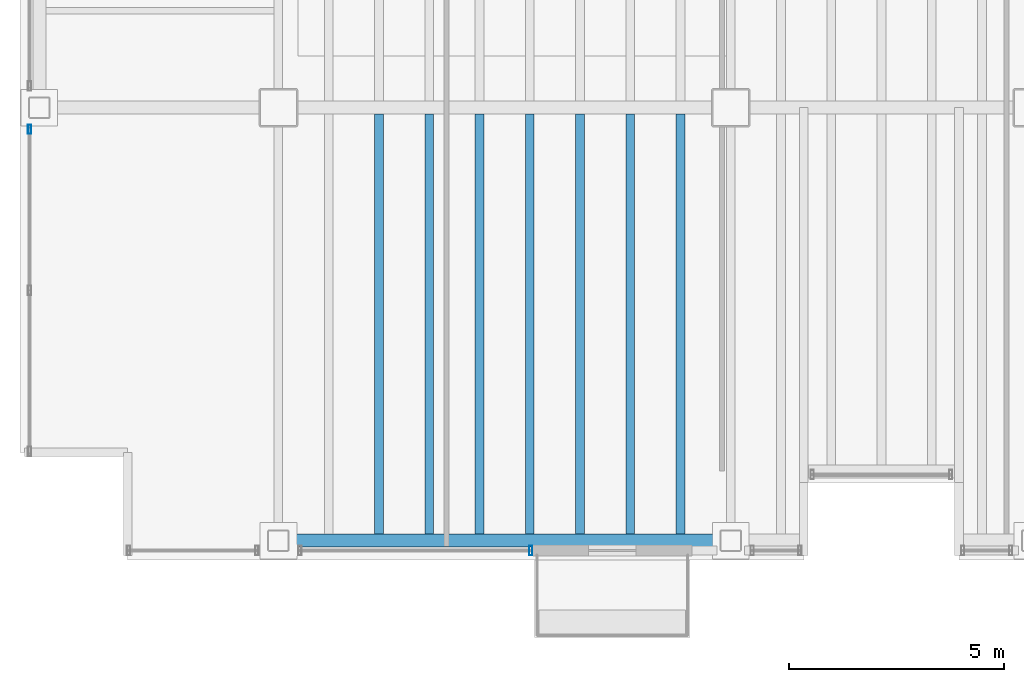
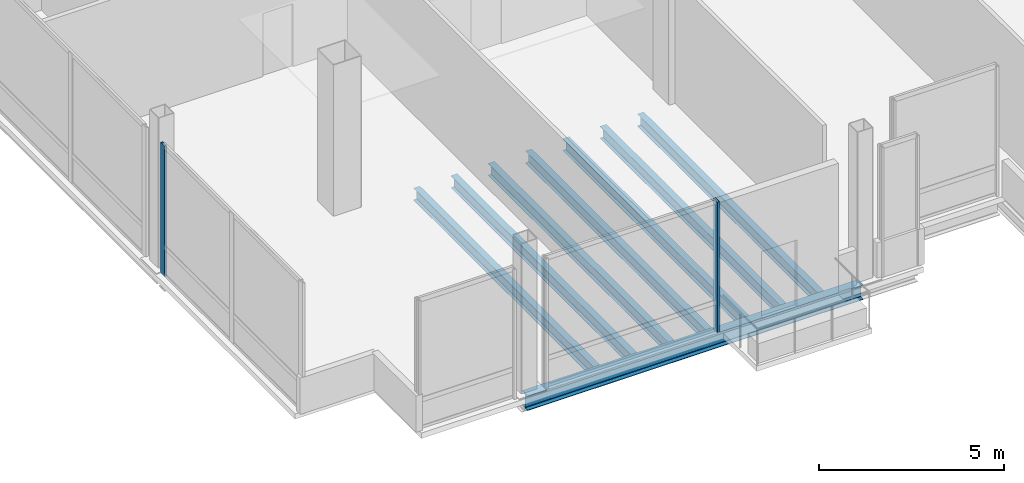
# One storey, part 3 of 22: 8 beams, 2 members, 2 elements without a shape of their own.
"""IFC4 building model written with IfcOpenShell, lengths in metres."""

from ifc_helpers import new_model, si_unit, direction, frame, origin, origin_2d, place, context, subcontext, project, spatial, hollow_rectangle, i_section, extrude, material, material_profile, profile_set, type_object, element, aggregate, save


model = new_model("IFC4")

# Units and contexts
model_context = context("Model", 3, precision=1e-05, world=origin(), true_north=direction((0.0, 1.0)))
body_context = subcontext(model_context, "Body", "Model", "MODEL_VIEW")
ifc_project = project(units=[si_unit("LENGTHUNIT", "METRE"), si_unit("AREAUNIT", "SQUARE_METRE"), si_unit("VOLUMEUNIT", "CUBIC_METRE"), si_unit("PLANEANGLEUNIT", "RADIAN"), si_unit("MASSUNIT", "GRAM", prefix="KILO")], contexts=[model_context])

# Site, building, storey
site_placement = place(None, origin())
site = spatial("IfcSite", under=ifc_project, at=site_placement, CompositionType="ELEMENT")
building_placement = place(site_placement, origin())
building = spatial("IfcBuilding", under=site, at=building_placement, Name="Noeulbin Bourse Tower", CompositionType="ELEMENT")
storey_placement = place(building_placement, frame((0.0, 0.0, 106.0)))
storey = spatial("IfcBuildingStorey", under=building, at=storey_placement, Name="L26", CompositionType="ELEMENT", Elevation=106.0)

# Beams
ifc_material_1 = material(Name="Steel S355", Category="steel")
ifc_material_profile_1 = material_profile(ifc_material_1, i_section(OverallWidth=0.199951171875, OverallDepth=0.39990234375, WebThickness=0.008056640625, FlangeThickness=0.012939453125, FilletRadius=0.01611328125, at=origin_2d()), Name="H-400x200x8x13", Category="LoadBearing")
ifc_profile_set_1 = profile_set([ifc_material_profile_1], Name="Steel S355")
beam_type_1 = type_object("IfcBeamType", Name="BM-SEC-400", PredefinedType="BEAM", material=ifc_profile_set_1)
for number, where, z_axis, x_axis, name in (
    (1, (15.833251953125, 10.10009765625, -0.3798828125), (0.0, 1.0, 0.0), (-1.0, 0.0, 0.0), "Tower Composite Joist L26-04"),
    (2, (17.0, 10.10009765625, -0.3798828125), (0.0, 1.0, 0.0), (-1.0, 0.0, 0.0), "Tower Composite Joist L26-07"),
    (3, (18.166748046875, 10.10009765625, -0.3798828125), (0.0, 1.0, 0.0), (-1.0, 0.0, 0.0), "Tower Composite Joist L26-10"),
    (4, (19.333251953125, 10.10009765625, -0.3798828125), (0.0, 1.0, 0.0), (-1.0, 0.0, 0.0), "Tower Composite Joist L26-13"),
    (5, (20.5, 10.10009765625, -0.3798828125), (0.0, 1.0, 0.0), (-1.0, 0.0, 0.0), "Tower Composite Joist L26-16"),
    (6, (21.666748046875, 10.10009765625, -0.3798828125), (0.0, 1.0, 0.0), (-1.0, 0.0, 0.0), "Tower Composite Joist L26-19"),
    (7, (22.833251953125, 10.10009765625, -0.3798828125), (0.0, 1.0, 0.0), (-1.0, 0.0, 0.0), "Tower Composite Joist L26-22"),
):
    element("IfcBeam", number, at=place(storey_placement, frame(where, z_axis=z_axis, x_axis=x_axis)), inside=storey, type_object=beam_type_1, Name=name, PredefinedType="BEAM", context=body_context, shape_type="SweptSolid", body=[
        extrude(i_section(OverallWidth=0.199951171875, OverallDepth=0.39990234375, WebThickness=0.008056640625, FlangeThickness=0.012939453125, FilletRadius=0.01611328125, at=origin_2d()), origin(), (0.0, 0.0, 1.0), 9.75),
    ])
ifc_material_profile_2 = material_profile(ifc_material_1, i_section(OverallWidth=0.300048828125, OverallDepth=0.488037109375, WebThickness=0.010986328125, FlangeThickness=0.01806640625, FilletRadius=0.02197265625, at=origin_2d()), Name="H-488x300x11x18", Category="LoadBearing")
ifc_profile_set_2 = profile_set([ifc_material_profile_2], Name="Steel S355")
beam_type_2 = type_object("IfcBeamType", Name="BM-SPN-488", PredefinedType="SPANDREL", material=ifc_profile_set_2)
beam_placement = place(storey_placement, frame((13.5, 9.949951171875, -0.424072265625), z_axis=(1.0, 0.0, 0.0), x_axis=(0.0, 1.0, 0.0)))
element("IfcBeam", 8, at=beam_placement, inside=storey, type_object=beam_type_2, Name="South Spandrel L26-1", PredefinedType="SPANDREL", context=body_context, shape_type="SweptSolid", body=[
    extrude(i_section(OverallWidth=0.300048828125, OverallDepth=0.488037109375, WebThickness=0.010986328125, FlangeThickness=0.01806640625, FilletRadius=0.02197265625, at=origin_2d()), origin(), (0.0, 0.0, 1.0), 10.5),
])

# Curtain wall, member
ifc_material_2 = material(Name="Dark Tinted Triple Glazing", Category="glass")
curtain_wall_type = type_object("IfcCurtainWallType", Name="CW-SYS-3", PredefinedType="NOTDEFINED", material=ifc_material_2)
curtain_wall_1_placement = place(storey_placement, origin())
curtain_wall_1 = element("IfcCurtainWall", 9, at=curtain_wall_1_placement, inside=storey, type_object=curtain_wall_type, Name="Unitised Curtain Wall CW-L26-S1-S2", PredefinedType="NOTDEFINED")
ifc_material_3 = material(Name="Anodised Aluminium 6063-T6", Category="aluminium")
ifc_material_profile_3 = material_profile(ifc_material_3, hollow_rectangle(XDim=0.074951171875, YDim=0.219970703125, WallThickness=0.0048828125, InnerFilletRadius=0.00244140625, OuterFilletRadius=0.0048828125, at=origin_2d()), Name="ALU-MULL-75x220x5", Category="LoadBearing")
ifc_profile_set_3 = profile_set([ifc_material_profile_3], Name="Anodised Aluminium 6063-T6")
member_type = type_object("IfcMemberType", Name="CW-SYS-3-MUL", PredefinedType="MULLION", material=ifc_profile_set_3)
member_1_placement = place(storey_placement, frame((19.360107421875, 9.719970703125, -0.02001953125), z_axis=(0.0, 0.0, 1.0), x_axis=(1.0, 0.0, 0.0)))
member_1 = element("IfcMember", 10, at=member_1_placement, type_object=member_type, Name="Curtain Wall Mullion CW-L26-S1-S2-M01", PredefinedType="MULLION", context=body_context, shape_type="SweptSolid", body=[
    extrude(hollow_rectangle(XDim=0.074951171875, YDim=0.219970703125, WallThickness=0.0048828125, InnerFilletRadius=0.00244140625, OuterFilletRadius=0.0048828125, at=origin_2d()), origin(), (0.0, 0.0, 1.0), 4.320068359375),
])
aggregate(curtain_wall_1, [member_1])

curtain_wall_2_placement = place(storey_placement, origin())
curtain_wall_2 = element("IfcCurtainWall", 11, at=curtain_wall_2_placement, inside=storey, type_object=curtain_wall_type, Name="Unitised Curtain Wall CW-L26-W-S1", PredefinedType="NOTDEFINED")
member_2_placement = place(storey_placement, frame((7.719970703125, 19.5, -0.02001953125), z_axis=(0.0, 0.0, 1.0), x_axis=(1.0, 0.0, 0.0)))
member_2 = element("IfcMember", 12, at=member_2_placement, type_object=member_type, Name="Curtain Wall Mullion CW-L26-W-S1-M02", PredefinedType="MULLION", context=body_context, shape_type="SweptSolid", body=[
    extrude(hollow_rectangle(XDim=0.074951171875, YDim=0.219970703125, WallThickness=0.0048828125, InnerFilletRadius=0.00244140625, OuterFilletRadius=0.0048828125, at=origin_2d()), origin(), (0.0, 0.0, 1.0), 4.320068359375),
])
aggregate(curtain_wall_2, [member_2])

save(model, "model.ifc")
